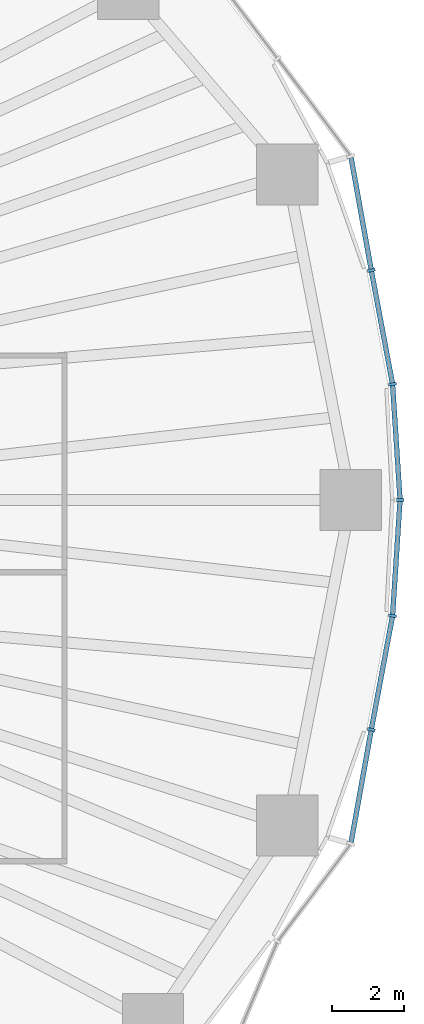
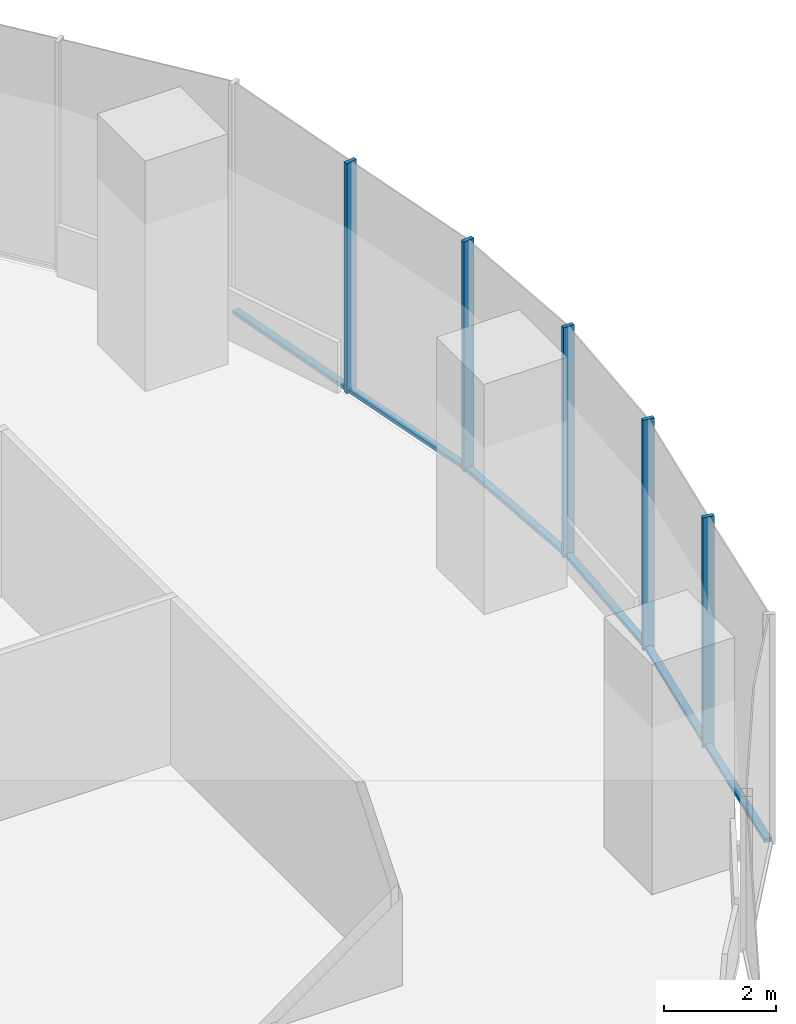
# One storey, part 7 of 20: 11 members, 2 elements without a shape of their own.
"""IFC4 building model written with IfcOpenShell, lengths in metres."""

from ifc_helpers import new_model, si_unit, direction, frame, origin, origin_2d, place, context, subcontext, project, spatial, rectangle, extrude, material, material_profile, profile_set, type_object, element, aggregate, save


model = new_model("IFC4")

# Units and contexts
model_context = context("Model", 3, precision=1e-05, world=origin(), true_north=direction((0.0, 1.0)))
body_context = subcontext(model_context, "Body", "Model", "MODEL_VIEW")
ifc_project = project(units=[si_unit("LENGTHUNIT", "METRE"), si_unit("AREAUNIT", "SQUARE_METRE"), si_unit("VOLUMEUNIT", "CUBIC_METRE"), si_unit("PLANEANGLEUNIT", "RADIAN"), si_unit("MASSUNIT", "GRAM", prefix="KILO")], contexts=[model_context])

# Site, building, storey
site_placement = place(None, origin())
site = spatial("IfcSite", under=ifc_project, at=site_placement, CompositionType="ELEMENT")
building_placement = place(site_placement, origin())
building = spatial("IfcBuilding", under=site, at=building_placement, Name="Ghaith Harvest Tower", CompositionType="ELEMENT")
storey_placement = place(building_placement, frame((0.0, 0.0, 90.0)))
storey = spatial("IfcBuildingStorey", under=building, at=storey_placement, Name="L18", CompositionType="ELEMENT", Elevation=90.0)

# Curtain wall, members
ifc_material_1 = material(Name="Black anodised aluminium and fritted glass", Category="aluminium")
curtain_wall_type = type_object("IfcCurtainWallType", Name="CW-F CURTAIN WALL", PredefinedType="NOTDEFINED", material=ifc_material_1)
curtain_wall_1_placement = place(storey_placement, origin())
curtain_wall_1 = element("IfcCurtainWall", 1, at=curtain_wall_1_placement, inside=storey, type_object=curtain_wall_type, Name="Curtain wall CW-F bay 01 L18", PredefinedType="NOTDEFINED")
ifc_material_2 = material(Name="Aluminium, black anodised", Category="aluminium")
ifc_material_profile_1 = material_profile(ifc_material_2, rectangle(XDim=0.080078125, YDim=0.219970703125, at=origin_2d()), Name="CW-F MULLION 80x220")
ifc_profile_set_1 = profile_set([ifc_material_profile_1], Name="Aluminium, black anodised")
member_type_1 = type_object("IfcMemberType", Name="CW-F MULLION 80x220", PredefinedType="MULLION", material=ifc_profile_set_1)
member_1_placement = place(storey_placement, frame((34.284912109375, 0.0, 0.0), z_axis=(0.0, 0.0, 1.0), x_axis=(1.05e-10, 1.0, 0.0)))
member_1 = element("IfcMember", 2, at=member_1_placement, type_object=member_type_1, Name="CW-F mullion 1 bay 01 L18", PredefinedType="MULLION", context=body_context, shape_type="SweptSolid", body=[
    extrude(rectangle(XDim=0.080078125, YDim=0.219970703125, at=origin_2d()), origin(), (0.0, 0.0, 1.0), 5.0),
])
member_2_placement = place(storey_placement, frame((34.077880859375, 3.205322265625, 0.0), z_axis=(0.0, 0.0, 1.0), x_axis=(-0.12416951168, 0.992261020281, 0.0)))
member_2 = element("IfcMember", 3, at=member_2_placement, type_object=member_type_1, Name="CW-F mullion 2 bay 01 L18", PredefinedType="MULLION", context=body_context, shape_type="SweptSolid", body=[
    extrude(rectangle(XDim=0.080078125, YDim=0.219970703125, at=origin_2d()), origin(), (0.0, 0.0, 1.0), 5.0),
])
member_3_placement = place(storey_placement, frame((33.489501953125, 6.3564453125, 0.0), z_axis=(0.0, 0.0, 1.0), x_axis=(-0.179943325455, 0.98367697931, 0.0)))
member_3 = element("IfcMember", 4, at=member_3_placement, type_object=member_type_1, Name="CW-F mullion 3 bay 01 L18", PredefinedType="MULLION", context=body_context, shape_type="SweptSolid", body=[
    extrude(rectangle(XDim=0.080078125, YDim=0.219970703125, at=origin_2d()), origin(), (0.0, 0.0, 1.0), 5.0),
])

curtain_wall_2_placement = place(storey_placement, origin())
curtain_wall_2 = element("IfcCurtainWall", 5, at=curtain_wall_2_placement, inside=storey, type_object=curtain_wall_type, Name="Curtain wall CW-F bay 20 L18", PredefinedType="NOTDEFINED")
member_4_placement = place(storey_placement, frame((33.489501953125, -6.3564453125, 0.0), z_axis=(0.0, 0.0, 1.0), x_axis=(0.17994332573, 0.98367697926, 0.0)))
member_4 = element("IfcMember", 6, at=member_4_placement, type_object=member_type_1, Name="CW-F mullion 2 bay 20 L18", PredefinedType="MULLION", context=body_context, shape_type="SweptSolid", body=[
    extrude(rectangle(XDim=0.080078125, YDim=0.219970703125, at=origin_2d()), origin(), (0.0, 0.0, 1.0), 5.0),
])
member_5_placement = place(storey_placement, frame((34.077880859375, -3.205322265625, 0.0), z_axis=(0.0, 0.0, 1.0), x_axis=(0.124169511819, 0.992261020264, 0.0)))
member_5 = element("IfcMember", 7, at=member_5_placement, type_object=member_type_1, Name="CW-F mullion 3 bay 20 L18", PredefinedType="MULLION", context=body_context, shape_type="SweptSolid", body=[
    extrude(rectangle(XDim=0.080078125, YDim=0.219970703125, at=origin_2d()), origin(), (0.0, 0.0, 1.0), 5.0),
])

# Member
ifc_material_3 = material(Name="Aluminium, black anodised", Category="aluminium")
ifc_material_profile_2 = material_profile(ifc_material_3, rectangle(XDim=0.139892578125, YDim=0.080078125, at=origin_2d()), Name="CW-F TRANSOM 140x80")
ifc_profile_set_2 = profile_set([ifc_material_profile_2], Name="Aluminium, black anodised")
member_type_2 = type_object("IfcMemberType", Name="CW-F TRANSOM 140x80", PredefinedType="USERDEFINED", material=ifc_profile_set_2)
member_6_placement = place(storey_placement, frame((34.282470703125, 0.039794921875, 0.0400390625), z_axis=(-0.064459898973, 0.997920298132, 0.0), x_axis=(-0.997920298132, -0.064459898973, 0.0)))
member_6 = element("IfcMember", 8, at=member_6_placement, type_object=member_type_2, Name="CW-F transom 1 bay 01 L18", ObjectType="TRANSOM", PredefinedType="USERDEFINED", context=body_context, shape_type="SweptSolid", body=[
    extrude(rectangle(XDim=0.139892578125, YDim=0.080078125, at=origin_2d()), origin(), (0.0, 0.0, 1.0), 3.13232421875),
])

member_7_placement = place(storey_placement, frame((34.070556640625, 3.24462890625, 0.0400390625), z_axis=(-0.183557496381, 0.983008975301, 0.0), x_axis=(-0.983008975301, -0.183557496381, 0.0)))
member_7 = element("IfcMember", 9, at=member_7_placement, type_object=member_type_2, Name="CW-F transom 2 bay 01 L18", ObjectType="TRANSOM", PredefinedType="USERDEFINED", context=body_context, shape_type="SweptSolid", body=[
    extrude(rectangle(XDim=0.139892578125, YDim=0.080078125, at=origin_2d()), origin(), (0.0, 0.0, 1.0), 3.125732421875),
])

member_8_placement = place(storey_placement, frame((33.482421875, 6.395751953125, 0.0400390625), z_axis=(-0.176303612865, 0.984335835013, 0.0), x_axis=(-0.984335835013, -0.176303612865, 0.0)))
member_8 = element("IfcMember", 10, at=member_8_placement, type_object=member_type_2, Name="CW-F transom 3 bay 01 L18", ObjectType="TRANSOM", PredefinedType="USERDEFINED", context=body_context, shape_type="SweptSolid", body=[
    extrude(rectangle(XDim=0.139892578125, YDim=0.080078125, at=origin_2d()), origin(), (0.0, 0.0, 1.0), 3.129638671875),
])

aggregate(curtain_wall_1, [member_1, member_6, member_2, member_7, member_3, member_8])

member_9_placement = place(storey_placement, frame((32.9306640625, -9.476318359375, 0.0400390625), z_axis=(0.176303612865, 0.984335835013, 0.0), x_axis=(-0.984335835013, 0.176303612865, 0.0)))
member_9 = element("IfcMember", 11, at=member_9_placement, type_object=member_type_2, Name="CW-F transom 1 bay 20 L18", ObjectType="TRANSOM", PredefinedType="USERDEFINED", context=body_context, shape_type="SweptSolid", body=[
    extrude(rectangle(XDim=0.139892578125, YDim=0.080078125, at=origin_2d()), origin(), (0.0, 0.0, 1.0), 3.129638671875),
])

member_10_placement = place(storey_placement, frame((33.496826171875, -6.317138671875, 0.0400390625), z_axis=(0.183557496381, 0.983008975301, 0.0), x_axis=(-0.983008975301, 0.183557496381, 0.0)))
member_10 = element("IfcMember", 12, at=member_10_placement, type_object=member_type_2, Name="CW-F transom 2 bay 20 L18", ObjectType="TRANSOM", PredefinedType="USERDEFINED", context=body_context, shape_type="SweptSolid", body=[
    extrude(rectangle(XDim=0.139892578125, YDim=0.080078125, at=origin_2d()), origin(), (0.0, 0.0, 1.0), 3.125732421875),
])

member_11_placement = place(storey_placement, frame((34.08056640625, -3.16552734375, 0.0400390625), z_axis=(0.064459898973, 0.997920298132, 0.0), x_axis=(-0.997920298132, 0.064459898973, 0.0)))
member_11 = element("IfcMember", 13, at=member_11_placement, type_object=member_type_2, Name="CW-F transom 3 bay 20 L18", ObjectType="TRANSOM", PredefinedType="USERDEFINED", context=body_context, shape_type="SweptSolid", body=[
    extrude(rectangle(XDim=0.139892578125, YDim=0.080078125, at=origin_2d()), origin(), (0.0, 0.0, 1.0), 3.13232421875),
])

aggregate(curtain_wall_2, [member_9, member_4, member_10, member_5, member_11])

save(model, "model.ifc")
